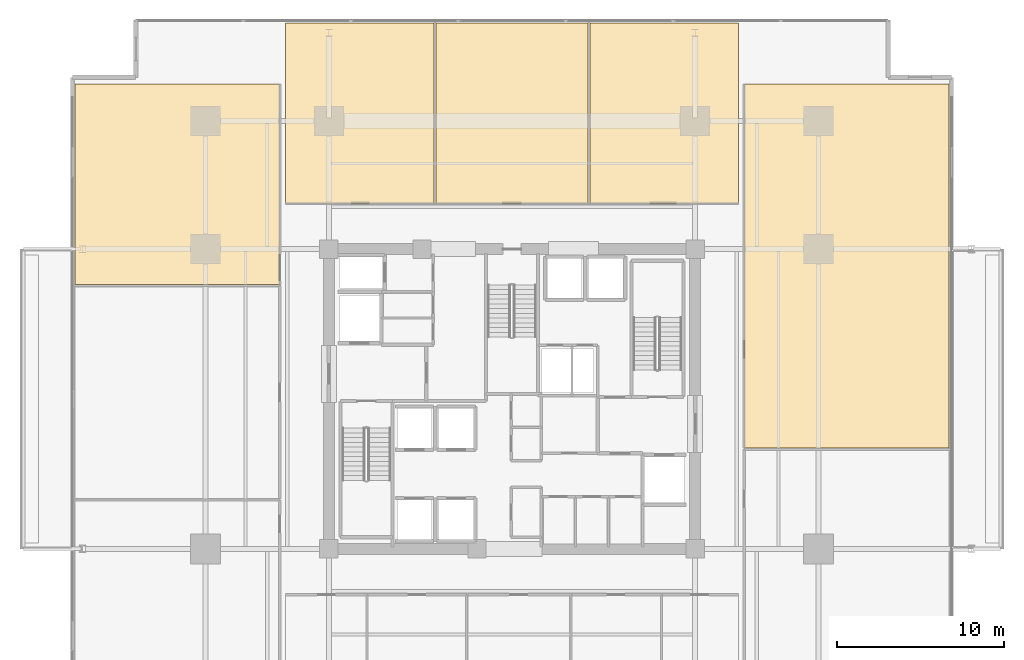
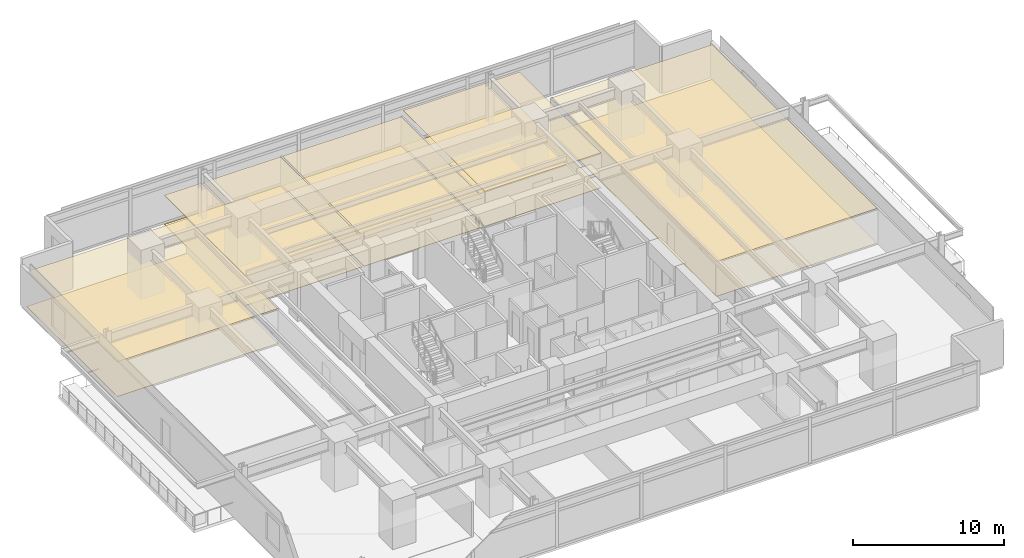
# One storey, part 22 of 22: 10 coverings.
"""IFC4 building model written with IfcOpenShell, lengths in metres."""

import ifcopenshell
import ifcopenshell.guid

model = None  # the IFC model being written
_history = None  # IfcOwnerHistory: only IFC2X3 demands one
_inside = {}  # id of a spatial element -> (the spatial element, [elements in it])
_under = {}  # id of a project, library or spatial element -> (it, [spatial elements below it])
_declared = {}  # id of a project -> (the project, [libraries it declares])
_typed = {}  # id of a type object -> (the type object, [elements of that type])
_made_of = {}  # id of a material, layer set ... -> (it, [elements and type objects made of it])


def new_model(schema):
    """Start an empty IFC model of exactly this schema.

    Asked for "IFC4X3", IfcOpenShell would pick the latest addendum, in which some entities
    have other attributes; the version numbers below select the first issue.
    IFC2X3 requires an IfcOwnerHistory on every rooted entity: one is made here for all.
    """
    global model, _history
    if schema == "IFC4X3":
        model = ifcopenshell.file(schema_version=(4, 3, 0, 0))
    else:
        model = ifcopenshell.file(schema=schema)
    _inside.clear()
    _under.clear()
    _declared.clear()
    _typed.clear()
    _made_of.clear()
    _history = None
    if model.schema == "IFC2X3":
        org = make("IfcOrganization", Name="unknown")
        user = make(
            "IfcPersonAndOrganization",
            ThePerson=make("IfcPerson", FamilyName="unknown"),
            TheOrganization=org,
        )
        app = make(
            "IfcApplication",
            ApplicationDeveloper=org,
            Version="unknown",
            ApplicationFullName="unknown",
            ApplicationIdentifier="unknown",
        )
        _history = make(
            "IfcOwnerHistory",
            OwningUser=user,
            OwningApplication=app,
            ChangeAction="ADDED",
            CreationDate=0,
        )
    return model


def make(cls, **values):
    """One entity of the class cls with the attributes given. An attribute that is None is left unset."""
    return model.create_entity(
        cls, **{name: value for name, value in values.items() if value is not None}
    )


def rooted(cls, **values):
    """An entity with a GlobalId (a new one), such as an element, a storey or a relation."""
    return make(cls, GlobalId=ifcopenshell.guid.new(), OwnerHistory=_history, **values)


def si_unit(unit_type, name, prefix=None):
    """IfcSIUnit, for example si_unit("LENGTHUNIT", "METRE", prefix="MILLI")."""
    return make("IfcSIUnit", UnitType=unit_type, Prefix=prefix, Name=name)


def assignment(units):
    """IfcUnitAssignment: the units of a project."""
    return None if units is None else make("IfcUnitAssignment", Units=units)


def point(xyz):
    """IfcCartesianPoint."""
    return None if xyz is None else make("IfcCartesianPoint", Coordinates=xyz)


def direction(xyz):
    """IfcDirection."""
    return None if xyz is None else make("IfcDirection", DirectionRatios=xyz)


def frame(location, z_axis=None, x_axis=None):
    """IfcAxis2Placement3D, a coordinate frame: its origin and axes. An axis left out is left unset."""
    return make(
        "IfcAxis2Placement3D",
        Location=point(location),
        Axis=direction(z_axis),
        RefDirection=direction(x_axis),
    )


def origin():
    """The frame at (0, 0, 0) with its axes left unset."""
    return frame((0.0, 0.0, 0.0))


def place(relative_to, where):
    """IfcLocalPlacement: puts the frame where relative to a parent placement (None: the world)."""
    return make(
        "IfcLocalPlacement", PlacementRelTo=relative_to, RelativePlacement=where
    )


def context(
    kind, dimensions, precision=None, world=None, true_north=None, identifier=None
):
    """IfcGeometricRepresentationContext, for example the 3D "Model" context."""
    return make(
        "IfcGeometricRepresentationContext",
        ContextIdentifier=identifier,
        ContextType=kind,
        CoordinateSpaceDimension=dimensions,
        Precision=precision,
        WorldCoordinateSystem=world,
        TrueNorth=true_north,
    )


def subcontext(parent, identifier, kind, view, scale=None):
    """IfcGeometricRepresentationSubContext, for example "Body" below "Model"."""
    return make(
        "IfcGeometricRepresentationSubContext",
        ContextIdentifier=identifier,
        ContextType=kind,
        ParentContext=parent,
        TargetScale=scale,
        TargetView=view,
    )


def project(units=None, contexts=None):
    """IfcProject with its units and contexts."""
    return rooted(
        "IfcProject",
        Name="project",
        RepresentationContexts=contexts,
        UnitsInContext=assignment(units),
    )


def spatial(cls, under=None, at=None, **own):
    """A site, building, storey or space (cls), placed at a placement, below another one or the project."""
    s = rooted(cls, ObjectPlacement=at, **own)
    if under is not None:
        _under.setdefault(under.id(), (under, []))[1].append(s)
    return s


def polyline(points):
    """IfcPolyline through the points."""
    return make("IfcPolyline", Points=[point(p) for p in points])


def outline(outer, holes=None, kind="AREA"):
    """IfcArbitraryClosedProfileDef: a profile drawn as a closed curve; with holes, ...WithVoids."""
    if holes is None:
        return make("IfcArbitraryClosedProfileDef", ProfileType=kind, OuterCurve=outer)
    return make(
        "IfcArbitraryProfileDefWithVoids",
        ProfileType=kind,
        OuterCurve=outer,
        InnerCurves=holes,
    )


def extrude(swept, where, along, depth):
    """IfcExtrudedAreaSolid: the profile swept, set in the frame where, extruded along a direction by depth."""
    return make(
        "IfcExtrudedAreaSolid",
        SweptArea=swept,
        Position=where,
        ExtrudedDirection=direction(along),
        Depth=depth,
    )


def shape(context_of_items, identifier, shape_type, items):
    """IfcShapeRepresentation: the items that make up one representation, for example the "Body"."""
    return make(
        "IfcShapeRepresentation",
        ContextOfItems=context_of_items,
        RepresentationIdentifier=identifier,
        RepresentationType=shape_type,
        Items=items,
    )


def material(Name=None, Category=None):
    """IfcMaterial."""
    return make("IfcMaterial", Name=Name, Category=Category)


def layer(
    of_material, thickness, ventilated=None, Name=None, Category=None, Priority=None
):
    """IfcMaterialLayer: one layer of a wall or slab, of a material (None: an air gap)."""
    return make(
        "IfcMaterialLayer",
        Material=of_material,
        LayerThickness=thickness,
        IsVentilated=ventilated,
        Name=Name,
        Category=Category,
        Priority=Priority,
    )


def layer_set(layers, Name=None):
    """IfcMaterialLayerSet."""
    return make("IfcMaterialLayerSet", MaterialLayers=layers, LayerSetName=Name)


def made_of(thing, what):
    """Note that an element or type object is made of a material, layer set ...; save() writes the relation."""
    if what is not None:
        _made_of.setdefault(what.id(), (what, []))[1].append(thing)
    return thing


def type_object(cls, material=None, **own):
    """A type object (cls), such as IfcWallType, which elements share."""
    return made_of(rooted(cls, **own), material)


def element(
    cls,
    number,
    at=None,
    inside=None,
    cuts=None,
    type_object=None,
    material=None,
    context=None,
    identifier="Body",
    shape_type=None,
    held_by="IfcProductDefinitionShape",
    body=None,
    shapes=None,
    **own,
):
    """One element of the class cls, such as IfcWall. Its Tag is "e" and its number.

    at: its placement. inside: the storey or other place that contains it. cuts: it is an
    opening in that element (IfcRelVoidsElement). A single representation is given by context,
    identifier, shape_type and body (its items); several are given by shapes. held_by: the class
    of the entity that holds the representations. save() writes the other relations.
    """
    e = rooted(cls, Tag="e%d" % number, ObjectPlacement=at, **own)
    if body is not None:
        shapes = [shape(context, identifier, shape_type, body)]
    if shapes is not None:
        e.Representation = make(held_by, Representations=shapes)
    if inside is not None:
        _inside.setdefault(inside.id(), (inside, []))[1].append(e)
    if cuts is not None:
        rooted(
            "IfcRelVoidsElement", RelatingBuildingElement=cuts, RelatedOpeningElement=e
        )
    if type_object is not None:
        _typed.setdefault(type_object.id(), (type_object, []))[1].append(e)
    return made_of(e, material)


def aggregate(whole, parts):
    """IfcRelAggregates: a whole, such as a stair, and the parts it consists of."""
    return rooted("IfcRelAggregates", RelatingObject=whole, RelatedObjects=parts)


def save(model, path):
    """Write the relations noted so far, then the file.

    IfcRelAggregates (storeys below a building ...), IfcRelContainedInSpatialStructure (elements
    in a storey), IfcRelDefinesByType, IfcRelAssociatesMaterial and IfcRelDeclares: one each for
    every whole, place, type object, material and project.
    """
    for whole, parts in _under.values():
        aggregate(whole, parts)
    for where, things in _inside.values():
        rooted(
            "IfcRelContainedInSpatialStructure",
            RelatedElements=things,
            RelatingStructure=where,
        )
    for kind, things in _typed.values():
        rooted("IfcRelDefinesByType", RelatedObjects=things, RelatingType=kind)
    for what, things in _made_of.values():
        rooted("IfcRelAssociatesMaterial", RelatedObjects=things, RelatingMaterial=what)
    for by, libraries in _declared.values():
        rooted("IfcRelDeclares", RelatingContext=by, RelatedDefinitions=libraries)
    model.write(path)


model = new_model("IFC4")

# Units and contexts
model_context = context("Model", 3, precision=1e-05, world=origin(), true_north=direction((0.0, 1.0)))
body_context = subcontext(model_context, "Body", "Model", "MODEL_VIEW")
ifc_project = project(units=[si_unit("LENGTHUNIT", "METRE"), si_unit("AREAUNIT", "SQUARE_METRE"), si_unit("VOLUMEUNIT", "CUBIC_METRE"), si_unit("PLANEANGLEUNIT", "RADIAN"), si_unit("MASSUNIT", "GRAM", prefix="KILO")], contexts=[model_context])

# Site, building, storey
site_placement = place(None, origin())
site = spatial("IfcSite", under=ifc_project, at=site_placement, CompositionType="ELEMENT")
building_placement = place(site_placement, origin())
building = spatial("IfcBuilding", under=site, at=building_placement, Name="Kovane Verandah Tower", CompositionType="ELEMENT")
storey_placement = place(building_placement, frame((0.0, 0.0, 99.60009765625)))
storey = spatial("IfcBuildingStorey", under=building, at=storey_placement, Name="L23", CompositionType="ELEMENT", Elevation=99.60009765625)

# Coverings
ifc_material_1 = material(Name="Perforated Acoustic Mineral-Fibre Ceiling Tile", Category="gypsum")
ifc_layer_1 = layer(ifc_material_1, 0.02490234375)
ifc_layer_set_1 = layer_set([ifc_layer_1], Name="Perforated Acoustic Mineral-Fibre Ceiling Tile")
covering_type_1 = type_object("IfcCoveringType", Name="CV-CEIL-25", PredefinedType="CEILING", material=ifc_layer_set_1)
covering_1_placement = place(storey_placement, frame((0.0, 0.0, 2.364990234375)))
element("IfcCovering", 1, at=covering_1_placement, inside=storey, type_object=covering_type_1, Name="L23 Open Plan Office N1 Acoustic Ceiling", PredefinedType="CEILING", context=body_context, shape_type="SweptSolid", body=[
    extrude(outline(polyline([(26.39990234375, 39.25), (35.305908203125, 39.25), (35.305908203125, 50.069091796875), (26.39990234375, 50.069091796875), (26.39990234375, 39.25)])), origin(), (0.0, 0.0, 1.0), 0.02490234375),
])
covering_2_placement = place(storey_placement, frame((0.0, 0.0, 2.364990234375)))
element("IfcCovering", 2, at=covering_2_placement, inside=storey, type_object=covering_type_1, Name="L23 Executive Office N2 Acoustic Ceiling", PredefinedType="CEILING", context=body_context, shape_type="SweptSolid", body=[
    extrude(outline(polyline([(35.446044921875, 39.25), (44.553955078125, 39.25), (44.553955078125, 50.069091796875), (35.446044921875, 50.069091796875), (35.446044921875, 39.25)])), origin(), (0.0, 0.0, 1.0), 0.02490234375),
])
covering_3_placement = place(storey_placement, frame((0.0, 0.0, 2.824951171875)))
element("IfcCovering", 3, at=covering_3_placement, inside=storey, type_object=covering_type_1, Name="L23 Client Boardroom N3 Acoustic Ceiling", PredefinedType="CEILING", context=body_context, shape_type="SweptSolid", body=[
    extrude(outline(polyline([(44.694091796875, 39.25), (53.60009765625, 39.25), (53.60009765625, 50.069091796875), (44.694091796875, 50.069091796875), (44.694091796875, 39.25)])), origin(), (0.0, 0.0, 1.0), 0.02490234375),
])
covering_4_placement = place(storey_placement, frame((0.0, 0.0, 2.824951171875)))
element("IfcCovering", 4, at=covering_4_placement, inside=storey, type_object=covering_type_1, Name="L23 Client Boardroom W3 Acoustic Ceiling", PredefinedType="CEILING", context=body_context, shape_type="SweptSolid", body=[
    extrude(outline(polyline([(13.75146484375, 34.380859375), (26.050048828125, 34.380859375), (26.050048828125, 46.4189453125), (13.75146484375, 46.4189453125), (13.75146484375, 34.380859375)])), origin(), (0.0, 0.0, 1.0), 0.02490234375),
])
covering_5_placement = place(storey_placement, frame((0.0, 0.0, 2.824951171875)))
element("IfcCovering", 5, at=covering_5_placement, inside=storey, type_object=covering_type_1, Name="L23 Focus Studio E2 Acoustic Ceiling", PredefinedType="CEILING", context=body_context, shape_type="SweptSolid", body=[
    extrude(outline(polyline([(53.949951171875, 24.54296875), (66.24853515625, 24.54296875), (66.24853515625, 46.4189453125), (53.949951171875, 46.4189453125), (53.949951171875, 24.54296875)])), origin(), (0.0, 0.0, 1.0), 0.02490234375),
])
ifc_material_2 = material(Name="Polished Terrazzo and Raised-Access Carpet Tile Finish", Category="concrete")
ifc_layer_2 = layer(ifc_material_2, 0.030029296875)
ifc_layer_set_2 = layer_set([ifc_layer_2], Name="Polished Terrazzo and Raised-Access Carpet Tile Finish")
covering_type_2 = type_object("IfcCoveringType", Name="CV-FLOR-30", PredefinedType="FLOORING", material=ifc_layer_set_2)
covering_6_placement = place(storey_placement, origin())
element("IfcCovering", 6, at=covering_6_placement, inside=storey, type_object=covering_type_2, Name="L23 Open Plan Office N1 Floor Finish", PredefinedType="FLOORING", context=body_context, shape_type="SweptSolid", body=[
    extrude(outline(polyline([(26.39990234375, 39.25), (35.305908203125, 39.25), (35.305908203125, 50.069091796875), (26.39990234375, 50.069091796875), (26.39990234375, 39.25)])), origin(), (0.0, 0.0, 1.0), 0.02978515625),
])
covering_7_placement = place(storey_placement, origin())
element("IfcCovering", 7, at=covering_7_placement, inside=storey, type_object=covering_type_2, Name="L23 Executive Office N2 Floor Finish", PredefinedType="FLOORING", context=body_context, shape_type="SweptSolid", body=[
    extrude(outline(polyline([(35.446044921875, 39.25), (44.553955078125, 39.25), (44.553955078125, 50.069091796875), (35.446044921875, 50.069091796875), (35.446044921875, 39.25)])), origin(), (0.0, 0.0, 1.0), 0.02978515625),
])
covering_8_placement = place(storey_placement, origin())
element("IfcCovering", 8, at=covering_8_placement, inside=storey, type_object=covering_type_2, Name="L23 Client Boardroom N3 Floor Finish", PredefinedType="FLOORING", context=body_context, shape_type="SweptSolid", body=[
    extrude(outline(polyline([(44.694091796875, 39.25), (53.60009765625, 39.25), (53.60009765625, 50.069091796875), (44.694091796875, 50.069091796875), (44.694091796875, 39.25)])), origin(), (0.0, 0.0, 1.0), 0.02978515625),
])
covering_9_placement = place(storey_placement, origin())
element("IfcCovering", 9, at=covering_9_placement, inside=storey, type_object=covering_type_2, Name="L23 Client Boardroom W3 Floor Finish", PredefinedType="FLOORING", context=body_context, shape_type="SweptSolid", body=[
    extrude(outline(polyline([(13.75146484375, 34.380859375), (26.050048828125, 34.380859375), (26.050048828125, 46.4189453125), (13.75146484375, 46.4189453125), (13.75146484375, 34.380859375)])), origin(), (0.0, 0.0, 1.0), 0.02978515625),
])
covering_10_placement = place(storey_placement, origin())
element("IfcCovering", 10, at=covering_10_placement, inside=storey, type_object=covering_type_2, Name="L23 Focus Studio E2 Floor Finish", PredefinedType="FLOORING", context=body_context, shape_type="SweptSolid", body=[
    extrude(outline(polyline([(53.949951171875, 24.54296875), (66.24853515625, 24.54296875), (66.24853515625, 46.4189453125), (53.949951171875, 46.4189453125), (53.949951171875, 24.54296875)])), origin(), (0.0, 0.0, 1.0), 0.02978515625),
])

save(model, "model.ifc")
